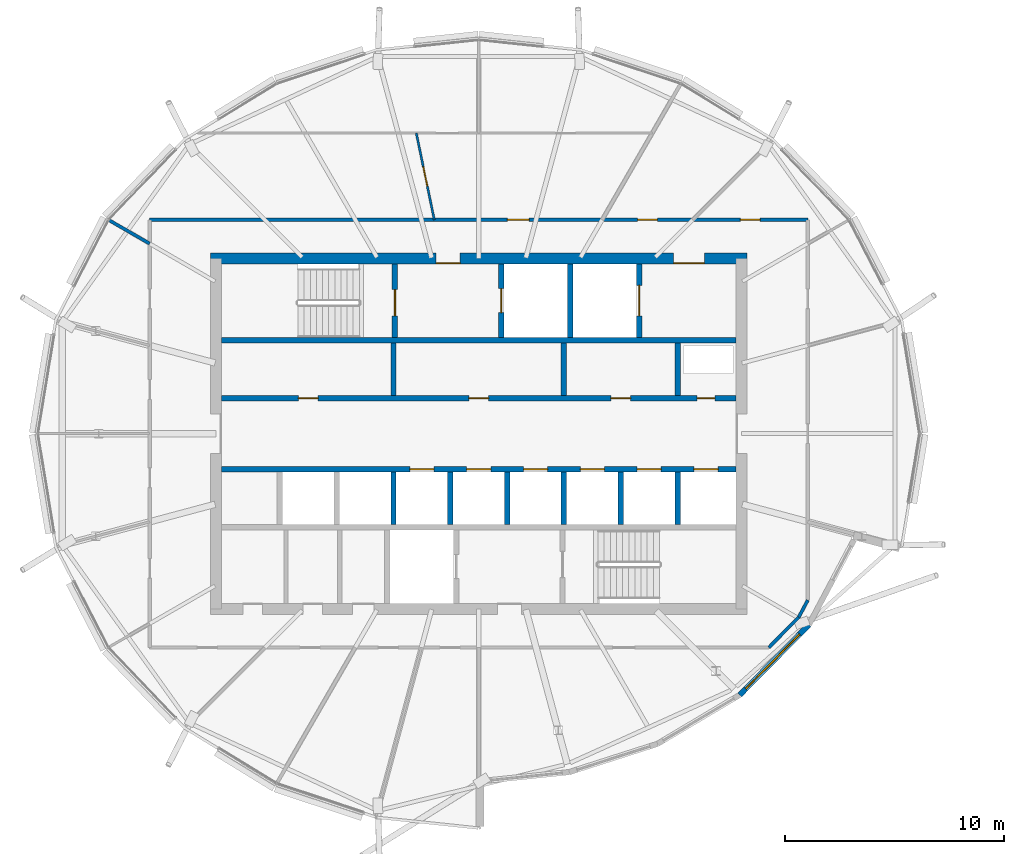
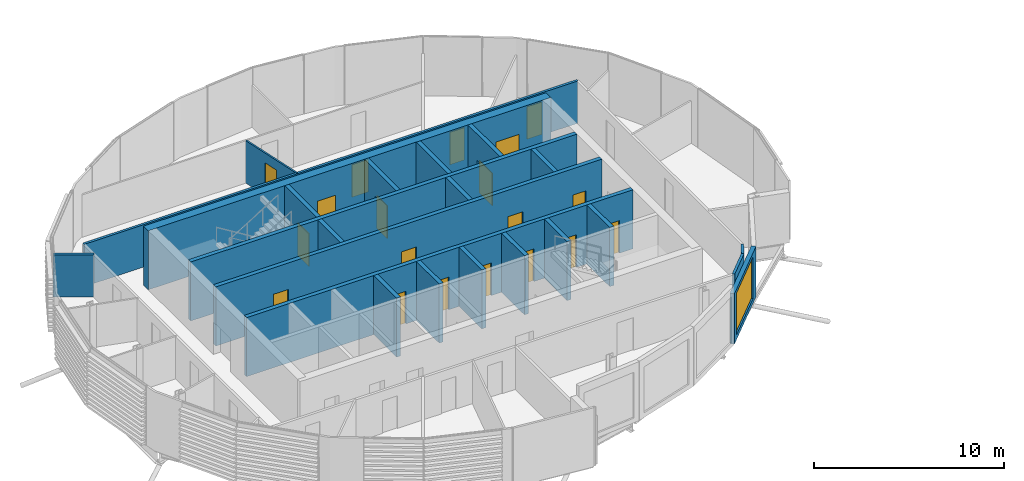
# One storey, part 19 of 36: 23 walls, 19 doors, 1 window, 20 openings.
"""IFC4 building model written with IfcOpenShell, lengths in metres."""

from ifc_helpers import new_model, si_unit, direction, frame, frame_2d, origin, place, context, subcontext, project, spatial, rectangle, extrude, material, layer, layer_set, type_object, element, fill, save


model = new_model("IFC4")

# Units and contexts
model_context = context("Model", 3, precision=1e-05, world=origin(), true_north=direction((0.0, 1.0)))
body_context = subcontext(model_context, "Body", "Model", "MODEL_VIEW")
ifc_project = project(units=[si_unit("LENGTHUNIT", "METRE"), si_unit("AREAUNIT", "SQUARE_METRE"), si_unit("VOLUMEUNIT", "CUBIC_METRE"), si_unit("PLANEANGLEUNIT", "RADIAN"), si_unit("MASSUNIT", "GRAM", prefix="KILO")], contexts=[model_context])

# Site, building, storey
site_placement = place(None, origin())
site = spatial("IfcSite", under=ifc_project, at=site_placement, CompositionType="ELEMENT")
building_placement = place(site_placement, origin())
building = spatial("IfcBuilding", under=site, at=building_placement, Name="Rimbun Link Towers", CompositionType="ELEMENT")
storey_placement = place(building_placement, frame((0.0, 0.0, 248.5)))
storey = spatial("IfcBuildingStorey", under=building, at=storey_placement, Name="L61", CompositionType="ELEMENT", Elevation=248.5)

# Wall, opening, window
ifc_material_1 = material(Name="Dark enamelled glass spandrel on insulated aluminium backpan", Category="aluminium")
ifc_layer_1 = layer(ifc_material_1, 0.25)
ifc_layer_set_1 = layer_set([ifc_layer_1], Name="CS dark enamelled spandrel wall 250")
wall_type_1 = type_object("IfcWallType", Name="CS dark enamelled spandrel wall 250", PredefinedType="STANDARD", material=ifc_layer_set_1)
wall_1_placement = place(storey_placement, frame((-16.668212890625, -8.723388671875, 0.0), z_axis=(0.0, 0.0, 1.0), x_axis=(-0.702165006789, -0.712014257751, 0.0)))
wall_1 = element("IfcWall", 1, at=wall_1_placement, inside=storey, type_object=wall_type_1, Name="Crease spandrel wall", PredefinedType="STANDARD", context=body_context, shape_type="SweptSolid", body=[
    extrude(rectangle(XDim=4.511474609375, YDim=0.25, at=frame_2d((2.255859375, 0.0))), origin(), (0.0, 0.0, 1.0), 3.24365234375),
])
opening_1_placement = place(wall_1_placement, frame((0.61767578125, 0.0, 0.300048828125)))
opening_1 = element("IfcOpeningElement", 2, at=opening_1_placement, cuts=wall_1, Name="Opening WR35H270", PredefinedType="OPENING", context=body_context, shape_type="SweptSolid", body=[
    extrude(rectangle(XDim=3.5, YDim=2.699951171875, at=frame_2d((1.75, 1.35009765625))), frame((0.0, 0.135009765625, 0.0), z_axis=(0.0, -1.0, 0.0), x_axis=(1.0, 0.0, 0.0)), (0.0, 0.0, 1.0), 0.27001953125),
])
ifc_material_2 = material(Name="Aluminium framed fixed window, dark tinted low-e glass", Category="aluminium")
window_type = type_object("IfcWindowType", Name="WR ribbon window 3500X2700", PartitioningType="SINGLE_PANEL", PredefinedType="WINDOW", material=ifc_material_2)
window_placement = place(opening_1_placement, origin())
window = element("IfcWindow", 3, at=window_placement, inside=storey, type_object=window_type, Name="Crease ribbon window", OverallHeight=2.699951171875, OverallWidth=3.5, PartitioningType="SINGLE_PANEL", PredefinedType="WINDOW", context=body_context, shape_type="SweptSolid", body=[
    extrude(rectangle(XDim=3.5, YDim=2.699951171875, at=frame_2d((1.75, 1.35009765625))), frame((0.0, 0.030029296875, 0.0), z_axis=(0.0, -1.0, 0.0), x_axis=(1.0, 0.0, 0.0)), (0.0, 0.0, 1.0), 0.06005859375),
])
fill(opening_1, window)

# Wall, openings, doors
ifc_material_3 = material(Name="Concrete C60/75", Category="concrete")
ifc_layer_2 = layer(ifc_material_3, 0.5)
ifc_layer_set_2 = layer_set([ifc_layer_2], Name="Core shear wall 500")
wall_type_2 = type_object("IfcWallType", Name="Core shear wall 500", PredefinedType="SHEAR", material=ifc_layer_set_2)
wall_2_placement = place(storey_placement, frame((-44.0, 8.0, 0.0), z_axis=(0.0, 0.0, 1.0), x_axis=(1.0, 0.0, 0.0)))
wall_2 = element("IfcWall", 4, at=wall_2_placement, inside=storey, type_object=wall_type_2, Name="L61 T1 core wall N", PredefinedType="SHEAR", context=body_context, shape_type="SweptSolid", body=[
    extrude(rectangle(XDim=24.5, YDim=0.5, at=frame_2d((12.25, 0.0))), origin(), (0.0, 0.0, 1.0), 3.800048828125),
])
opening_2_placement = place(wall_2_placement, frame((10.300048828125, 0.0, 0.0)))
opening_2 = element("IfcOpeningElement", 5, at=opening_2_placement, cuts=wall_2, Name="Opening C1DCF01N", PredefinedType="OPENING", context=body_context, shape_type="SweptSolid", body=[
    extrude(rectangle(XDim=1.10009765625, YDim=2.10009765625, at=frame_2d((0.550048828125, 1.050048828125))), frame((0.0, 0.260009765625, 0.0), z_axis=(0.0, -1.0, 0.0), x_axis=(1.0, 0.0, 0.0)), (0.0, 0.0, 1.0), 0.52001953125),
])
opening_3_placement = place(wall_2_placement, frame((21.14990234375, 0.0, 0.0)))
opening_3 = element("IfcOpeningElement", 6, at=opening_3_placement, cuts=wall_2, Name="Opening C1DSL02N", PredefinedType="OPENING", context=body_context, shape_type="SweptSolid", body=[
    extrude(rectangle(XDim=1.39990234375, YDim=2.10009765625, at=frame_2d((0.699951171875, 1.050048828125))), frame((0.0, 0.260009765625, 0.0), z_axis=(0.0, -1.0, 0.0), x_axis=(1.0, 0.0, 0.0)), (0.0, 0.0, 1.0), 0.52001953125),
])
ifc_material_4 = material(Name="Steel fire door set", Category="steel")
door_type_1 = type_object("IfcDoorType", Name="Core fire door single", OperationType="SINGLE_SWING_LEFT", PredefinedType="DOOR", material=ifc_material_4)
door_1_placement = place(opening_2_placement, origin())
door_1 = element("IfcDoor", 7, at=door_1_placement, inside=storey, type_object=door_type_1, Name="L61 T1 firefighting lobby n door", OperationType="SINGLE_SWING_RIGHT", OverallHeight=2.10009765625, OverallWidth=1.10009765625, PredefinedType="DOOR", context=body_context, shape_type="SweptSolid", body=[
    extrude(rectangle(XDim=1.10009765625, YDim=2.10009765625, at=frame_2d((0.550048828125, 1.050048828125))), frame((0.0, -0.2001953125, 0.0), z_axis=(0.0, -1.0, 0.0), x_axis=(1.0, 0.0, 0.0)), (0.0, 0.0, 1.0), 0.050048828125),
])
fill(opening_2, door_1)
ifc_material_5 = material(Name="Steel fire door set", Category="steel")
door_type_2 = type_object("IfcDoorType", Name="Service lobby door double", OperationType="DOUBLE_DOOR_SINGLE_SWING", PredefinedType="DOOR", material=ifc_material_5)
door_2_placement = place(opening_3_placement, origin())
door_2 = element("IfcDoor", 8, at=door_2_placement, inside=storey, type_object=door_type_2, Name="L61 T1 service lobby door", OperationType="DOUBLE_DOOR_SINGLE_SWING", OverallHeight=2.10009765625, OverallWidth=1.39990234375, PredefinedType="DOOR", context=body_context, shape_type="SweptSolid", body=[
    extrude(rectangle(XDim=1.39990234375, YDim=2.10009765625, at=frame_2d((0.699951171875, 1.050048828125))), frame((0.0, -0.2001953125, 0.0), z_axis=(0.0, -1.0, 0.0), x_axis=(1.0, 0.0, 0.0)), (0.0, 0.0, 1.0), 0.050048828125),
])
fill(opening_3, door_2)

ifc_material_6 = material(Name="Plasterboard on steel stud, mineral wool", Category="steel")
ifc_layer_3 = layer(ifc_material_6, 0.14990234375)
ifc_layer_set_3 = layer_set([ifc_layer_3], Name="Corridor wall EI 30 150 mm")
wall_type_3 = type_object("IfcWallType", Name="Corridor wall EI 30 150 mm", PredefinedType="PARTITIONING", material=ifc_layer_set_3)
wall_3_placement = place(storey_placement, frame((-46.77490234375, 9.764892578125, 0.0), z_axis=(0.0, 0.0, 1.0), x_axis=(1.0, 0.0, 0.0)))
wall_3 = element("IfcWall", 9, at=wall_3_placement, inside=storey, type_object=wall_type_3, Name="Corridor wall EI 30 150 mm", PredefinedType="PARTITIONING", context=body_context, shape_type="SweptSolid", body=[
    extrude(rectangle(XDim=30.0498046875, YDim=0.14990234375, at=frame_2d((15.02490234375, 0.0))), origin(), (0.0, 0.0, 1.0), 2.721923828125),
])
opening_4_placement = place(wall_3_placement, frame((26.969970703125, 0.0, 0.0)))
opening_4 = element("IfcOpeningElement", 10, at=opening_4_placement, cuts=wall_3, Name="Opening D02", PredefinedType="OPENING", context=body_context, shape_type="SweptSolid", body=[
    extrude(rectangle(XDim=0.89990234375, YDim=2.10009765625, at=frame_2d((0.449951171875, 1.050048828125))), frame((0.0, 0.0849609375, 0.0), z_axis=(0.0, -1.0, 0.0), x_axis=(1.0, 0.0, 0.0)), (0.0, 0.0, 1.0), 0.169921875),
])
opening_5_placement = place(wall_3_placement, frame((22.2763671875, 0.0, 0.0)))
opening_5 = element("IfcOpeningElement", 11, at=opening_5_placement, cuts=wall_3, Name="Opening D02", PredefinedType="OPENING", context=body_context, shape_type="SweptSolid", body=[
    extrude(rectangle(XDim=0.89990234375, YDim=2.10009765625, at=frame_2d((0.449951171875, 1.050048828125))), frame((0.0, 0.0849609375, 0.0), z_axis=(0.0, -1.0, 0.0), x_axis=(1.0, 0.0, 0.0)), (0.0, 0.0, 1.0), 0.169921875),
])
opening_6_placement = place(wall_3_placement, frame((16.32958984375, 0.0, 0.0)))
opening_6 = element("IfcOpeningElement", 12, at=opening_6_placement, cuts=wall_3, Name="Opening D01", PredefinedType="OPENING", context=body_context, shape_type="SweptSolid", body=[
    extrude(rectangle(XDim=1.0, YDim=2.10009765625, at=frame_2d((0.5, 1.050048828125))), frame((0.0, 0.0849609375, 0.0), z_axis=(0.0, -1.0, 0.0), x_axis=(1.0, 0.0, 0.0)), (0.0, 0.0, 1.0), 0.169921875),
])
ifc_material_7 = material(Name="Fire-resisting timber door leaf", Category="wood")
door_type_3 = type_object("IfcDoorType", Name="Fire door FD30S 1000", OperationType="NOTDEFINED", PredefinedType="DOOR", material=ifc_material_7)
door_3_placement = place(opening_6_placement, origin())
door_3 = element("IfcDoor", 13, at=door_3_placement, inside=storey, type_object=door_type_3, Name="Fire door FD30S 1000 to Reception", OperationType="SINGLE_SWING_LEFT", OverallHeight=2.10009765625, OverallWidth=1.0, PredefinedType="DOOR", context=body_context, shape_type="SweptSolid", body=[
    extrude(rectangle(XDim=1.0, YDim=2.10009765625, at=frame_2d((0.5, 1.050048828125))), frame((0.0, 0.02490234375, 0.0), z_axis=(0.0, -1.0, 0.0), x_axis=(1.0, 0.0, 0.0)), (0.0, 0.0, 1.0), 0.050048828125),
])
fill(opening_6, door_3)
ifc_material_8 = material(Name="Fire-resisting timber door leaf", Category="wood")
door_type_4 = type_object("IfcDoorType", Name="Fire door FD30S 900", OperationType="NOTDEFINED", PredefinedType="DOOR", material=ifc_material_8)
door_4_placement = place(opening_4_placement, origin())
door_4 = element("IfcDoor", 14, at=door_4_placement, inside=storey, type_object=door_type_4, Name="Fire door FD30S 900 to Pantry", OperationType="SINGLE_SWING_LEFT", OverallHeight=2.10009765625, OverallWidth=0.89990234375, PredefinedType="DOOR", context=body_context, shape_type="SweptSolid", body=[
    extrude(rectangle(XDim=0.89990234375, YDim=2.10009765625, at=frame_2d((0.449951171875, 1.050048828125))), frame((0.0, 0.02490234375, 0.0), z_axis=(0.0, -1.0, 0.0), x_axis=(1.0, 0.0, 0.0)), (0.0, 0.0, 1.0), 0.050048828125),
])
fill(opening_4, door_4)
door_5_placement = place(opening_5_placement, origin())
door_5 = element("IfcDoor", 15, at=door_5_placement, inside=storey, type_object=door_type_4, Name="Fire door FD30S 900 to Boardroom", OperationType="SINGLE_SWING_RIGHT", OverallHeight=2.10009765625, OverallWidth=0.89990234375, PredefinedType="DOOR", context=body_context, shape_type="SweptSolid", body=[
    extrude(rectangle(XDim=0.89990234375, YDim=2.10009765625, at=frame_2d((0.449951171875, 1.050048828125))), frame((0.0, 0.02490234375, 0.0), z_axis=(0.0, -1.0, 0.0), x_axis=(1.0, 0.0, 0.0)), (0.0, 0.0, 1.0), 0.050048828125),
])
fill(opening_5, door_5)

# Walls
wall_4_placement = place(storey_placement, frame((-17.13671875, -8.37939453125, 0.0), z_axis=(0.0, 0.0, 1.0), x_axis=(0.468884089089, 0.88325970756, 0.0)))
element("IfcWall", 16, at=wall_4_placement, inside=storey, type_object=wall_type_3, Name="Corridor wall EI 30 150 mm", PredefinedType="PARTITIONING", context=body_context, shape_type="SweptSolid", body=[
    extrude(rectangle(XDim=0.8779296875, YDim=0.14990234375, at=frame_2d((0.43896484375, 0.0))), origin(), (0.0, 0.0, 1.0), 2.721923828125),
])
wall_5_placement = place(storey_placement, frame((-18.5029296875, -9.764892578125, 0.0), z_axis=(0.0, 0.0, 1.0), x_axis=(0.702133324826, 0.712045500069, 0.0)))
element("IfcWall", 17, at=wall_5_placement, inside=storey, type_object=wall_type_3, Name="Corridor wall EI 30 150 mm", PredefinedType="PARTITIONING", context=body_context, shape_type="SweptSolid", body=[
    extrude(rectangle(XDim=1.94580078125, YDim=0.14990234375, at=frame_2d((0.972900390625, 0.0))), origin(), (0.0, 0.0, 1.0), 2.721923828125),
])

# Wall, opening, door
ifc_material_9 = material(Name="Plasterboard on steel stud", Category="steel")
ifc_layer_4 = layer(ifc_material_9, 0.10009765625)
ifc_layer_set_4 = layer_set([ifc_layer_4], Name="Plasterboard partition 100 mm")
wall_type_4 = type_object("IfcWallType", Name="Plasterboard partition 100 mm", PredefinedType="PARTITIONING", material=ifc_layer_set_4)
wall_6_placement = place(storey_placement, frame((-33.77880859375, 9.764892578125, 0.0), z_axis=(0.0, 0.0, 1.0), x_axis=(-0.203411890202, 0.979093255479, 0.0)))
wall_6 = element("IfcWall", 18, at=wall_6_placement, inside=storey, type_object=wall_type_4, Name="Plasterboard partition 100 mm", PredefinedType="PARTITIONING", context=body_context, shape_type="SweptSolid", body=[
    extrude(rectangle(XDim=4.044677734375, YDim=0.10009765625, at=frame_2d((2.0224609375, 0.0))), origin(), (0.0, 0.0, 1.0), 2.721923828125),
])
opening_7_placement = place(wall_6_placement, frame((1.572265625, 0.0, 0.0)))
opening_7 = element("IfcOpeningElement", 19, at=opening_7_placement, cuts=wall_6, Name="Opening D04", PredefinedType="OPENING", context=body_context, shape_type="SweptSolid", body=[
    extrude(rectangle(XDim=0.89990234375, YDim=2.10009765625, at=frame_2d((0.449951171875, 1.050048828125))), frame((0.0, 0.06005859375, 0.0), z_axis=(0.0, -1.0, 0.0), x_axis=(1.0, 0.0, 0.0)), (0.0, 0.0, 1.0), 0.1201171875),
])
ifc_material_10 = material(Name="Timber door leaf", Category="wood")
door_type_5 = type_object("IfcDoorType", Name="Flush door 900", OperationType="NOTDEFINED", PredefinedType="DOOR", material=ifc_material_10)
door_6_placement = place(opening_7_placement, origin())
door_6 = element("IfcDoor", 20, at=door_6_placement, inside=storey, type_object=door_type_5, Name="Flush door 900 to Meeting room", OperationType="SINGLE_SWING_LEFT", OverallHeight=2.10009765625, OverallWidth=0.89990234375, PredefinedType="DOOR", context=body_context, shape_type="SweptSolid", body=[
    extrude(rectangle(XDim=0.89990234375, YDim=2.10009765625, at=frame_2d((0.449951171875, 1.050048828125))), frame((0.0, 0.02490234375, 0.0), z_axis=(0.0, -1.0, 0.0), x_axis=(1.0, 0.0, 0.0)), (0.0, 0.0, 1.0), 0.050048828125),
])
fill(opening_7, door_6)

# Wall
ifc_material_11 = material(Name="Concrete C60/75", Category="concrete")
ifc_layer_5 = layer(ifc_material_11, 0.25)
ifc_layer_set_5 = layer_set([ifc_layer_5], Name="Shaft wall 250")
wall_type_5 = type_object("IfcWallType", Name="Shaft wall 250", PredefinedType="SHEAR", material=ifc_layer_set_5)
wall_7_placement = place(storey_placement, frame((-43.5, 4.27490234375, 0.0), z_axis=(0.0, 0.0, 1.0), x_axis=(1.0, 0.0, 0.0)))
element("IfcWall", 21, at=wall_7_placement, inside=storey, type_object=wall_type_5, Name="L61 T1 core wall BN", PredefinedType="SHEAR", context=body_context, shape_type="SweptSolid", body=[
    extrude(rectangle(XDim=23.5, YDim=0.25, at=frame_2d((11.75, 0.0))), origin(), (0.0, 0.0, 1.0), 3.800048828125),
])

# Wall, openings, doors
wall_8_placement = place(storey_placement, frame((-43.5, 1.625, 0.0), z_axis=(0.0, 0.0, 1.0), x_axis=(1.0, 0.0, 0.0)))
wall_8 = element("IfcWall", 22, at=wall_8_placement, inside=storey, type_object=wall_type_5, Name="L61 T1 core wall FN", PredefinedType="SHEAR", context=body_context, shape_type="SweptSolid", body=[
    extrude(rectangle(XDim=23.5, YDim=0.25, at=frame_2d((11.75, 0.0))), origin(), (0.0, 0.0, 1.0), 3.800048828125),
])
opening_8_placement = place(wall_8_placement, frame((3.5166015625, 0.0, 0.0)))
opening_8 = element("IfcOpeningElement", 23, at=opening_8_placement, cuts=wall_8, Name="Opening C1DRS01FN", PredefinedType="OPENING", context=body_context, shape_type="SweptSolid", body=[
    extrude(rectangle(XDim=0.89990234375, YDim=2.10009765625, at=frame_2d((0.449951171875, 1.050048828125))), frame((0.0, 0.135009765625, 0.0), z_axis=(0.0, -1.0, 0.0), x_axis=(1.0, 0.0, 0.0)), (0.0, 0.0, 1.0), 0.27001953125),
])
opening_9_placement = place(wall_8_placement, frame((11.300048828125, 0.0, 0.0)))
opening_9 = element("IfcOpeningElement", 24, at=opening_9_placement, cuts=wall_8, Name="Opening C1DRS02FN", PredefinedType="OPENING", context=body_context, shape_type="SweptSolid", body=[
    extrude(rectangle(XDim=0.89990234375, YDim=2.10009765625, at=frame_2d((0.449951171875, 1.050048828125))), frame((0.0, 0.135009765625, 0.0), z_axis=(0.0, -1.0, 0.0), x_axis=(1.0, 0.0, 0.0)), (0.0, 0.0, 1.0), 0.27001953125),
])
opening_10_placement = place(wall_8_placement, frame((17.7861328125, 0.0, 0.0)))
opening_10 = element("IfcOpeningElement", 25, at=opening_10_placement, cuts=wall_8, Name="Opening C1DRS03FN", PredefinedType="OPENING", context=body_context, shape_type="SweptSolid", body=[
    extrude(rectangle(XDim=0.89990234375, YDim=2.10009765625, at=frame_2d((0.449951171875, 1.050048828125))), frame((0.0, 0.135009765625, 0.0), z_axis=(0.0, -1.0, 0.0), x_axis=(1.0, 0.0, 0.0)), (0.0, 0.0, 1.0), 0.27001953125),
])
opening_11_placement = place(wall_8_placement, frame((21.727783203125, 0.0, 0.0)))
opening_11 = element("IfcOpeningElement", 26, at=opening_11_placement, cuts=wall_8, Name="Opening C1DRA04FN", PredefinedType="OPENING", context=body_context, shape_type="SweptSolid", body=[
    extrude(rectangle(XDim=0.800048828125, YDim=2.10009765625, at=frame_2d((0.39990234375, 1.050048828125))), frame((0.0, 0.135009765625, 0.0), z_axis=(0.0, -1.0, 0.0), x_axis=(1.0, 0.0, 0.0)), (0.0, 0.0, 1.0), 0.27001953125),
])
ifc_material_12 = material(Name="Steel fire door set", Category="steel")
door_type_6 = type_object("IfcDoorType", Name="Core riser door", OperationType="SINGLE_SWING_LEFT", PredefinedType="DOOR", material=ifc_material_12)
door_7_placement = place(opening_8_placement, origin())
door_7 = element("IfcDoor", 27, at=door_7_placement, inside=storey, type_object=door_type_6, Name="L61 T1 plant room door", OperationType="SINGLE_SWING_LEFT", OverallHeight=2.10009765625, OverallWidth=0.89990234375, PredefinedType="DOOR", context=body_context, shape_type="SweptSolid", body=[
    extrude(rectangle(XDim=0.89990234375, YDim=2.10009765625, at=frame_2d((0.449951171875, 1.050048828125))), frame((0.0, 0.02490234375, 0.0), z_axis=(0.0, -1.0, 0.0), x_axis=(1.0, 0.0, 0.0)), (0.0, 0.0, 1.0), 0.050048828125),
])
fill(opening_8, door_7)
door_8_placement = place(opening_9_placement, origin())
door_8 = element("IfcDoor", 28, at=door_8_placement, inside=storey, type_object=door_type_6, Name="L61 T1 wellness room door", OperationType="SINGLE_SWING_LEFT", OverallHeight=2.10009765625, OverallWidth=0.89990234375, PredefinedType="DOOR", context=body_context, shape_type="SweptSolid", body=[
    extrude(rectangle(XDim=0.89990234375, YDim=2.10009765625, at=frame_2d((0.449951171875, 1.050048828125))), frame((0.0, 0.02490234375, 0.0), z_axis=(0.0, -1.0, 0.0), x_axis=(1.0, 0.0, 0.0)), (0.0, 0.0, 1.0), 0.050048828125),
])
fill(opening_9, door_8)
door_9_placement = place(opening_10_placement, origin())
door_9 = element("IfcDoor", 29, at=door_9_placement, inside=storey, type_object=door_type_6, Name="L61 T1 pantry door", OperationType="SINGLE_SWING_RIGHT", OverallHeight=2.10009765625, OverallWidth=0.89990234375, PredefinedType="DOOR", context=body_context, shape_type="SweptSolid", body=[
    extrude(rectangle(XDim=0.89990234375, YDim=2.10009765625, at=frame_2d((0.449951171875, 1.050048828125))), frame((0.0, 0.02490234375, 0.0), z_axis=(0.0, -1.0, 0.0), x_axis=(1.0, 0.0, 0.0)), (0.0, 0.0, 1.0), 0.050048828125),
])
fill(opening_10, door_9)
ifc_material_13 = material(Name="Steel fire door set", Category="steel")
door_type_7 = type_object("IfcDoorType", Name="Riser access door 800 x 2100", OperationType="SINGLE_SWING_LEFT", PredefinedType="DOOR", material=ifc_material_13)
door_10_placement = place(opening_11_placement, origin())
door_10 = element("IfcDoor", 30, at=door_10_placement, inside=storey, type_object=door_type_7, Name="L61 T1 riser cupboard door", OperationType="SINGLE_SWING_LEFT", OverallHeight=2.10009765625, OverallWidth=0.800048828125, PredefinedType="DOOR", context=body_context, shape_type="SweptSolid", body=[
    extrude(rectangle(XDim=0.800048828125, YDim=2.10009765625, at=frame_2d((0.39990234375, 1.050048828125))), frame((0.0, 0.02490234375, 0.0), z_axis=(0.0, -1.0, 0.0), x_axis=(1.0, 0.0, 0.0)), (0.0, 0.0, 1.0), 0.050048828125),
])
fill(opening_11, door_10)

wall_9_placement = place(storey_placement, frame((-43.5, -1.625, 0.0), z_axis=(0.0, 0.0, 1.0), x_axis=(1.0, 0.0, 0.0)))
wall_9 = element("IfcWall", 31, at=wall_9_placement, inside=storey, type_object=wall_type_5, Name="L61 T1 core wall FS", PredefinedType="SHEAR", context=body_context, shape_type="SweptSolid", body=[
    extrude(rectangle(XDim=23.5, YDim=0.25, at=frame_2d((11.75, 0.0))), origin(), (0.0, 0.0, 1.0), 3.800048828125),
])
opening_12_placement = place(wall_9_placement, frame((8.605712890625, 0.0, 0.0)))
opening_12 = element("IfcOpeningElement", 32, at=opening_12_placement, cuts=wall_9, Name="Opening LD-T1-HR1", PredefinedType="OPENING", context=body_context, shape_type="SweptSolid", body=[
    extrude(rectangle(XDim=1.10009765625, YDim=2.10009765625, at=frame_2d((0.550048828125, 1.050048828125))), frame((0.0, 0.135009765625, 0.0), z_axis=(0.0, -1.0, 0.0), x_axis=(1.0, 0.0, 0.0)), (0.0, 0.0, 1.0), 0.27001953125),
])
opening_13_placement = place(wall_9_placement, frame((11.199951171875, 0.0, 0.0)))
opening_13 = element("IfcOpeningElement", 33, at=opening_13_placement, cuts=wall_9, Name="Opening LD-T1-HR2", PredefinedType="OPENING", context=body_context, shape_type="SweptSolid", body=[
    extrude(rectangle(XDim=1.10009765625, YDim=2.10009765625, at=frame_2d((0.550048828125, 1.050048828125))), frame((0.0, 0.135009765625, 0.0), z_axis=(0.0, -1.0, 0.0), x_axis=(1.0, 0.0, 0.0)), (0.0, 0.0, 1.0), 0.27001953125),
])
opening_14_placement = place(wall_9_placement, frame((13.79443359375, 0.0, 0.0)))
opening_14 = element("IfcOpeningElement", 34, at=opening_14_placement, cuts=wall_9, Name="Opening LD-T1-HR3", PredefinedType="OPENING", context=body_context, shape_type="SweptSolid", body=[
    extrude(rectangle(XDim=1.10009765625, YDim=2.10009765625, at=frame_2d((0.550048828125, 1.050048828125))), frame((0.0, 0.135009765625, 0.0), z_axis=(0.0, -1.0, 0.0), x_axis=(1.0, 0.0, 0.0)), (0.0, 0.0, 1.0), 0.27001953125),
])
opening_15_placement = place(wall_9_placement, frame((16.388916015625, 0.0, 0.0)))
opening_15 = element("IfcOpeningElement", 35, at=opening_15_placement, cuts=wall_9, Name="Opening LD-T1-HR4", PredefinedType="OPENING", context=body_context, shape_type="SweptSolid", body=[
    extrude(rectangle(XDim=1.10009765625, YDim=2.10009765625, at=frame_2d((0.550048828125, 1.050048828125))), frame((0.0, 0.135009765625, 0.0), z_axis=(0.0, -1.0, 0.0), x_axis=(1.0, 0.0, 0.0)), (0.0, 0.0, 1.0), 0.27001953125),
])
opening_16_placement = place(wall_9_placement, frame((18.9833984375, 0.0, 0.0)))
opening_16 = element("IfcOpeningElement", 36, at=opening_16_placement, cuts=wall_9, Name="Opening LD-T1-HR5", PredefinedType="OPENING", context=body_context, shape_type="SweptSolid", body=[
    extrude(rectangle(XDim=1.10009765625, YDim=2.10009765625, at=frame_2d((0.550048828125, 1.050048828125))), frame((0.0, 0.135009765625, 0.0), z_axis=(0.0, -1.0, 0.0), x_axis=(1.0, 0.0, 0.0)), (0.0, 0.0, 1.0), 0.27001953125),
])
opening_17_placement = place(wall_9_placement, frame((21.577880859375, 0.0, 0.0)))
opening_17 = element("IfcOpeningElement", 37, at=opening_17_placement, cuts=wall_9, Name="Opening LD-T1-HR6", PredefinedType="OPENING", context=body_context, shape_type="SweptSolid", body=[
    extrude(rectangle(XDim=1.10009765625, YDim=2.10009765625, at=frame_2d((0.550048828125, 1.050048828125))), frame((0.0, 0.135009765625, 0.0), z_axis=(0.0, -1.0, 0.0), x_axis=(1.0, 0.0, 0.0)), (0.0, 0.0, 1.0), 0.27001953125),
])
ifc_material_14 = material(Name="Stainless steel grade 316", Category="steel")
door_type_8 = type_object("IfcDoorType", Name="Lift landing door", OperationType="DOUBLE_DOOR_SLIDING", PredefinedType="DOOR", material=ifc_material_14)
door_11_placement = place(opening_12_placement, origin())
door_11 = element("IfcDoor", 38, at=door_11_placement, inside=storey, type_object=door_type_8, Name="L61 T1 lift HR1 landing door", OperationType="DOUBLE_DOOR_SLIDING", OverallHeight=2.10009765625, OverallWidth=1.10009765625, PredefinedType="DOOR", context=body_context, shape_type="SweptSolid", body=[
    extrude(rectangle(XDim=1.10009765625, YDim=2.10009765625, at=frame_2d((0.550048828125, 1.050048828125))), frame((0.0, 0.02490234375, 0.0), z_axis=(0.0, -1.0, 0.0), x_axis=(1.0, 0.0, 0.0)), (0.0, 0.0, 1.0), 0.050048828125),
])
fill(opening_12, door_11)
door_12_placement = place(opening_13_placement, origin())
door_12 = element("IfcDoor", 39, at=door_12_placement, inside=storey, type_object=door_type_8, Name="L61 T1 lift HR2 landing door", OperationType="DOUBLE_DOOR_SLIDING", OverallHeight=2.10009765625, OverallWidth=1.10009765625, PredefinedType="DOOR", context=body_context, shape_type="SweptSolid", body=[
    extrude(rectangle(XDim=1.10009765625, YDim=2.10009765625, at=frame_2d((0.550048828125, 1.050048828125))), frame((0.0, 0.02490234375, 0.0), z_axis=(0.0, -1.0, 0.0), x_axis=(1.0, 0.0, 0.0)), (0.0, 0.0, 1.0), 0.050048828125),
])
fill(opening_13, door_12)
door_13_placement = place(opening_14_placement, origin())
door_13 = element("IfcDoor", 40, at=door_13_placement, inside=storey, type_object=door_type_8, Name="L61 T1 lift HR3 landing door", OperationType="DOUBLE_DOOR_SLIDING", OverallHeight=2.10009765625, OverallWidth=1.10009765625, PredefinedType="DOOR", context=body_context, shape_type="SweptSolid", body=[
    extrude(rectangle(XDim=1.10009765625, YDim=2.10009765625, at=frame_2d((0.550048828125, 1.050048828125))), frame((0.0, 0.02490234375, 0.0), z_axis=(0.0, -1.0, 0.0), x_axis=(1.0, 0.0, 0.0)), (0.0, 0.0, 1.0), 0.050048828125),
])
fill(opening_14, door_13)
door_14_placement = place(opening_15_placement, origin())
door_14 = element("IfcDoor", 41, at=door_14_placement, inside=storey, type_object=door_type_8, Name="L61 T1 lift HR4 landing door", OperationType="DOUBLE_DOOR_SLIDING", OverallHeight=2.10009765625, OverallWidth=1.10009765625, PredefinedType="DOOR", context=body_context, shape_type="SweptSolid", body=[
    extrude(rectangle(XDim=1.10009765625, YDim=2.10009765625, at=frame_2d((0.550048828125, 1.050048828125))), frame((0.0, 0.02490234375, 0.0), z_axis=(0.0, -1.0, 0.0), x_axis=(1.0, 0.0, 0.0)), (0.0, 0.0, 1.0), 0.050048828125),
])
fill(opening_15, door_14)
door_15_placement = place(opening_16_placement, origin())
door_15 = element("IfcDoor", 42, at=door_15_placement, inside=storey, type_object=door_type_8, Name="L61 T1 lift HR5 landing door", OperationType="DOUBLE_DOOR_SLIDING", OverallHeight=2.10009765625, OverallWidth=1.10009765625, PredefinedType="DOOR", context=body_context, shape_type="SweptSolid", body=[
    extrude(rectangle(XDim=1.10009765625, YDim=2.10009765625, at=frame_2d((0.550048828125, 1.050048828125))), frame((0.0, 0.02490234375, 0.0), z_axis=(0.0, -1.0, 0.0), x_axis=(1.0, 0.0, 0.0)), (0.0, 0.0, 1.0), 0.050048828125),
])
fill(opening_16, door_15)
door_16_placement = place(opening_17_placement, origin())
door_16 = element("IfcDoor", 43, at=door_16_placement, inside=storey, type_object=door_type_8, Name="L61 T1 lift HR6 landing door", OperationType="DOUBLE_DOOR_SLIDING", OverallHeight=2.10009765625, OverallWidth=1.10009765625, PredefinedType="DOOR", context=body_context, shape_type="SweptSolid", body=[
    extrude(rectangle(XDim=1.10009765625, YDim=2.10009765625, at=frame_2d((0.550048828125, 1.050048828125))), frame((0.0, 0.02490234375, 0.0), z_axis=(0.0, -1.0, 0.0), x_axis=(1.0, 0.0, 0.0)), (0.0, 0.0, 1.0), 0.050048828125),
])
fill(opening_17, door_16)

# Walls
for number, where, z_axis, x_axis, name in (
    (44, (-35.6416015625, 1.75, 0.0), (0.0, 0.0, 1.0), (0.0, 1.0, 0.0), "L61 T1 core wall DN2"),
    (45, (-27.8583984375, 1.75, 0.0), (0.0, 0.0, 1.0), (0.0, 1.0, 0.0), "L61 T1 core wall DN5"),
    (46, (-22.66943359375, 1.75, 0.0), (0.0, 0.0, 1.0), (0.0, 1.0, 0.0), "L61 T1 core wall DN7"),
    (47, (-35.6416015625, -4.14990234375, 0.0), (0.0, 0.0, 1.0), (0.0, 1.0, 0.0), "L61 T1 core wall DS2"),
    (48, (-33.047119140625, -4.14990234375, 0.0), (0.0, 0.0, 1.0), (0.0, 1.0, 0.0), "L61 T1 core wall DS3"),
    (49, (-30.452880859375, -4.14990234375, 0.0), (0.0, 0.0, 1.0), (0.0, 1.0, 0.0), "L61 T1 core wall DS4"),
    (50, (-27.8583984375, -4.14990234375, 0.0), (0.0, 0.0, 1.0), (0.0, 1.0, 0.0), "L61 T1 core wall DS5"),
    (51, (-25.263916015625, -4.14990234375, 0.0), (0.0, 0.0, 1.0), (0.0, 1.0, 0.0), "L61 T1 core wall DS6"),
    (52, (-22.66943359375, -4.14990234375, 0.0), (0.0, 0.0, 1.0), (0.0, 1.0, 0.0), "L61 T1 core wall DS7"),
):
    element("IfcWall", number, at=place(storey_placement, frame(where, z_axis=z_axis, x_axis=x_axis)), inside=storey, type_object=wall_type_5, Name=name, PredefinedType="SHEAR", context=body_context, shape_type="SweptSolid", body=[
        extrude(rectangle(XDim=2.39990234375, YDim=0.25, at=frame_2d((1.199951171875, 0.0))), origin(), (0.0, 0.0, 1.0), 3.800048828125),
    ])

# Wall, opening, door
wall_10_placement = place(storey_placement, frame((-35.574951171875, 4.39990234375, 0.0), z_axis=(0.0, 0.0, 1.0), x_axis=(0.0, 1.0, 0.0)))
wall_10 = element("IfcWall", 53, at=wall_10_placement, inside=storey, type_object=wall_type_5, Name="L61 T1 core wall A1", PredefinedType="SHEAR", context=body_context, shape_type="SweptSolid", body=[
    extrude(rectangle(XDim=3.35009765625, YDim=0.25, at=frame_2d((1.675048828125, 0.0))), origin(), (0.0, 0.0, 1.0), 3.800048828125),
])
opening_18_placement = place(wall_10_placement, frame((0.97509765625, 0.0, 0.0)))
opening_18 = element("IfcOpeningElement", 54, at=opening_18_placement, cuts=wall_10, Name="Opening C1DST01A1", PredefinedType="OPENING", context=body_context, shape_type="SweptSolid", body=[
    extrude(rectangle(XDim=1.199951171875, YDim=2.10009765625, at=frame_2d((0.60009765625, 1.050048828125))), frame((0.0, 0.135009765625, 0.0), z_axis=(0.0, -1.0, 0.0), x_axis=(1.0, 0.0, 0.0)), (0.0, 0.0, 1.0), 0.27001953125),
])
ifc_material_15 = material(Name="Steel fire door set", Category="steel")
door_type_9 = type_object("IfcDoorType", Name="Stair door", OperationType="SINGLE_SWING_LEFT", PredefinedType="DOOR", material=ifc_material_15)
door_17_placement = place(opening_18_placement, origin())
door_17 = element("IfcDoor", 55, at=door_17_placement, inside=storey, type_object=door_type_9, Name="L61 T1 stair a door", OperationType="SINGLE_SWING_RIGHT", OverallHeight=2.10009765625, OverallWidth=1.199951171875, PredefinedType="DOOR", context=body_context, shape_type="SweptSolid", body=[
    extrude(rectangle(XDim=1.199951171875, YDim=2.10009765625, at=frame_2d((0.60009765625, 1.050048828125))), frame((0.0, 0.02490234375, 0.0), z_axis=(0.0, -1.0, 0.0), x_axis=(1.0, 0.0, 0.0)), (0.0, 0.0, 1.0), 0.050048828125),
])
fill(opening_18, door_17)

wall_11_placement = place(storey_placement, frame((-30.72509765625, 4.39990234375, 0.0), z_axis=(0.0, 0.0, 1.0), x_axis=(0.0, 1.0, 0.0)))
wall_11 = element("IfcWall", 56, at=wall_11_placement, inside=storey, type_object=wall_type_5, Name="L61 T1 core wall A2", PredefinedType="SHEAR", context=body_context, shape_type="SweptSolid", body=[
    extrude(rectangle(XDim=3.35009765625, YDim=0.25, at=frame_2d((1.675048828125, 0.0))), origin(), (0.0, 0.0, 1.0), 3.800048828125),
])
opening_19_placement = place(wall_11_placement, frame((1.125, 0.0, 0.0)))
opening_19 = element("IfcOpeningElement", 57, at=opening_19_placement, cuts=wall_11, Name="Opening LD-T1-FF1", PredefinedType="OPENING", context=body_context, shape_type="SweptSolid", body=[
    extrude(rectangle(XDim=1.10009765625, YDim=2.10009765625, at=frame_2d((0.550048828125, 1.050048828125))), frame((0.0, 0.135009765625, 0.0), z_axis=(0.0, -1.0, 0.0), x_axis=(1.0, 0.0, 0.0)), (0.0, 0.0, 1.0), 0.27001953125),
])
door_18_placement = place(opening_19_placement, origin())
door_18 = element("IfcDoor", 58, at=door_18_placement, inside=storey, type_object=door_type_8, Name="L61 T1 lift FF1 landing door", OperationType="DOUBLE_DOOR_SLIDING", OverallHeight=2.10009765625, OverallWidth=1.10009765625, PredefinedType="DOOR", context=body_context, shape_type="SweptSolid", body=[
    extrude(rectangle(XDim=1.10009765625, YDim=2.10009765625, at=frame_2d((0.550048828125, 1.050048828125))), frame((0.0, 0.02490234375, 0.0), z_axis=(0.0, -1.0, 0.0), x_axis=(1.0, 0.0, 0.0)), (0.0, 0.0, 1.0), 0.050048828125),
])
fill(opening_19, door_18)

# Wall
wall_12_placement = place(storey_placement, frame((-27.574951171875, 4.39990234375, 0.0), z_axis=(0.0, 0.0, 1.0), x_axis=(0.0, 1.0, 0.0)))
element("IfcWall", 59, at=wall_12_placement, inside=storey, type_object=wall_type_5, Name="L61 T1 core wall A3", PredefinedType="SHEAR", context=body_context, shape_type="SweptSolid", body=[
    extrude(rectangle(XDim=3.35009765625, YDim=0.25, at=frame_2d((1.675048828125, 0.0))), origin(), (0.0, 0.0, 1.0), 3.800048828125),
])

# Wall, opening, door
wall_13_placement = place(storey_placement, frame((-24.425048828125, 4.39990234375, 0.0), z_axis=(0.0, 0.0, 1.0), x_axis=(0.0, 1.0, 0.0)))
wall_13 = element("IfcWall", 60, at=wall_13_placement, inside=storey, type_object=wall_type_5, Name="L61 T1 core wall A4", PredefinedType="SHEAR", context=body_context, shape_type="SweptSolid", body=[
    extrude(rectangle(XDim=3.35009765625, YDim=0.25, at=frame_2d((1.675048828125, 0.0))), origin(), (0.0, 0.0, 1.0), 3.800048828125),
])
opening_20_placement = place(wall_13_placement, frame((0.97509765625, 0.0, 0.0)))
opening_20 = element("IfcOpeningElement", 61, at=opening_20_placement, cuts=wall_13, Name="Opening LD-T1-GL1", PredefinedType="OPENING", context=body_context, shape_type="SweptSolid", body=[
    extrude(rectangle(XDim=1.39990234375, YDim=2.10009765625, at=frame_2d((0.699951171875, 1.050048828125))), frame((0.0, 0.135009765625, 0.0), z_axis=(0.0, -1.0, 0.0), x_axis=(1.0, 0.0, 0.0)), (0.0, 0.0, 1.0), 0.27001953125),
])
ifc_material_16 = material(Name="Stainless steel grade 316", Category="steel")
door_type_10 = type_object("IfcDoorType", Name="Goods lift landing door", OperationType="DOUBLE_DOOR_SLIDING", PredefinedType="DOOR", material=ifc_material_16)
door_19_placement = place(opening_20_placement, origin())
door_19 = element("IfcDoor", 62, at=door_19_placement, inside=storey, type_object=door_type_10, Name="L61 T1 lift GL1 landing door", OperationType="DOUBLE_DOOR_SLIDING", OverallHeight=2.10009765625, OverallWidth=1.39990234375, PredefinedType="DOOR", context=body_context, shape_type="SweptSolid", body=[
    extrude(rectangle(XDim=1.39990234375, YDim=2.10009765625, at=frame_2d((0.699951171875, 1.050048828125))), frame((0.0, 0.02490234375, 0.0), z_axis=(0.0, -1.0, 0.0), x_axis=(1.0, 0.0, 0.0)), (0.0, 0.0, 1.0), 0.050048828125),
])
fill(opening_20, door_19)

# Wall
ifc_material_17 = material(Name="Plasterboard on steel stud, mineral wool", Category="steel")
ifc_layer_6 = layer(ifc_material_17, 0.14990234375)
ifc_layer_set_6 = layer_set([ifc_layer_6], Name="Tenancy separation wall EI 60 150 mm")
wall_type_6 = type_object("IfcWallType", Name="Tenancy separation wall EI 60 150 mm", PredefinedType="PARTITIONING", material=ifc_layer_set_6)
wall_14_placement = place(storey_placement, frame((-46.77490234375, 8.6748046875, 0.0), z_axis=(0.0, 0.0, 1.0), x_axis=(-0.866066338354, 0.499929092542, 0.0)))
element("IfcWall", 63, at=wall_14_placement, inside=storey, type_object=wall_type_6, Name="Tenancy separation wall EI 60 150 mm", PredefinedType="PARTITIONING", context=body_context, shape_type="SweptSolid", body=[
    extrude(rectangle(XDim=2.147705078125, YDim=0.14990234375, at=frame_2d((1.07373046875, 0.0))), origin(), (0.0, 0.0, 1.0), 2.721923828125),
])

save(model, "model.ifc")
